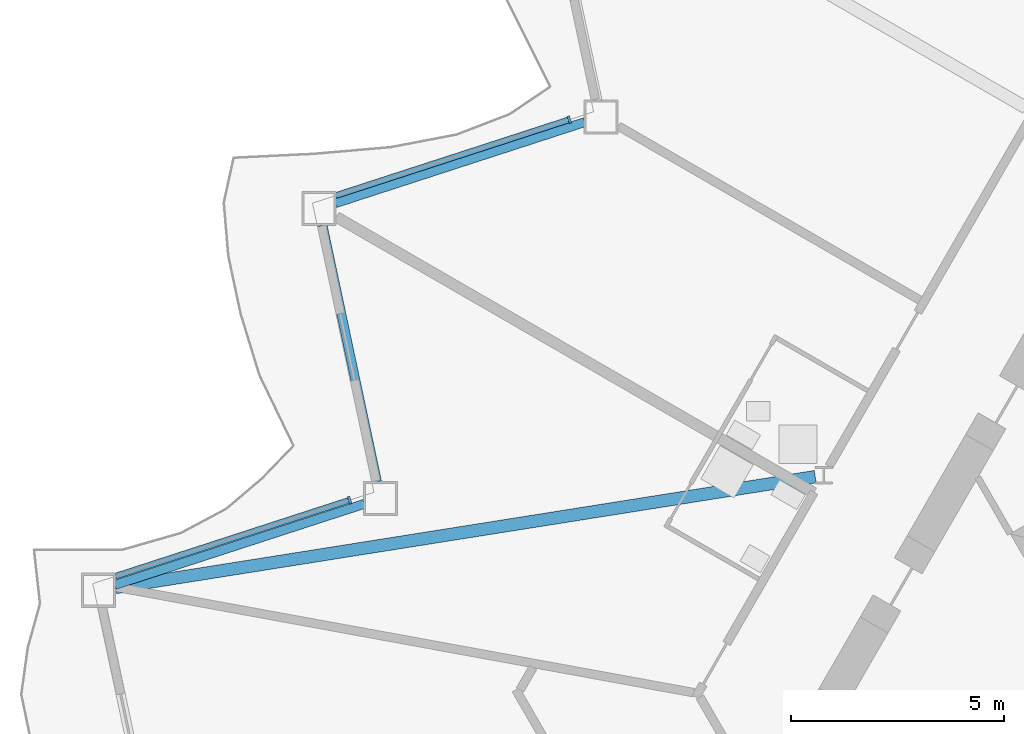
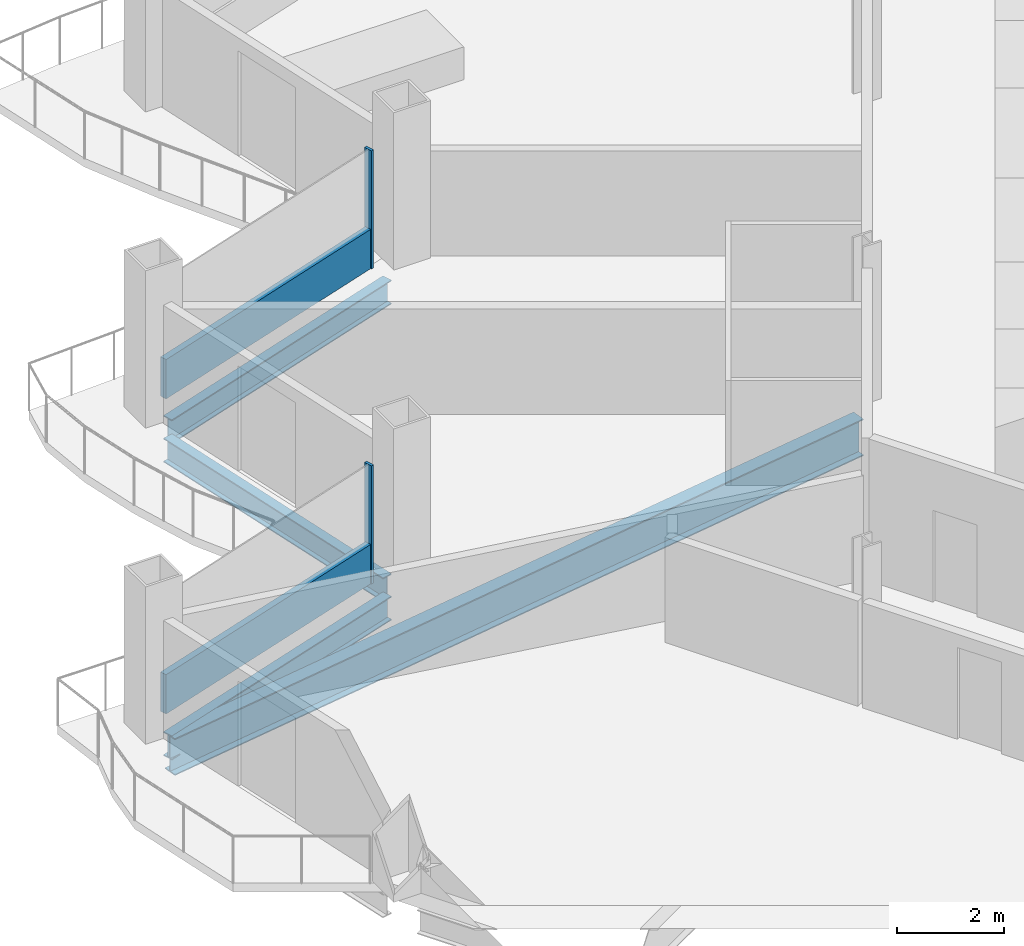
# One storey, part 5 of 24: 4 beams, 4 members, 2 elements without a shape of their own.
"""IFC4 building model written with IfcOpenShell, lengths in metres."""

from ifc_helpers import new_model, si_unit, direction, frame, origin, origin_2d, place, context, subcontext, project, spatial, rectangle, i_section, extrude, material, layer, layer_set, material_profile, profile_set, type_object, element, aggregate, save


model = new_model("IFC4")

# Units and contexts
model_context = context("Model", 3, precision=1e-05, world=origin(), true_north=direction((0.0, 1.0)))
body_context = subcontext(model_context, "Body", "Model", "MODEL_VIEW")
ifc_project = project(units=[si_unit("LENGTHUNIT", "METRE"), si_unit("AREAUNIT", "SQUARE_METRE"), si_unit("VOLUMEUNIT", "CUBIC_METRE"), si_unit("PLANEANGLEUNIT", "RADIAN"), si_unit("MASSUNIT", "GRAM", prefix="KILO")], contexts=[model_context])

# Site, building, storey
site_placement = place(None, origin())
site = spatial("IfcSite", under=ifc_project, at=site_placement, CompositionType="ELEMENT")
building_placement = place(site_placement, origin())
building = spatial("IfcBuilding", under=site, at=building_placement, Name="Cormorant Prow Tower", CompositionType="ELEMENT")
storey_placement = place(building_placement, frame((0.0, 0.0, 205.199951171875)))
storey = spatial("IfcBuildingStorey", under=building, at=storey_placement, Name="L45", CompositionType="ELEMENT", Elevation=205.199951171875)

# Curtain wall, member
ifc_material_1 = material(Name="Aluminium 6063-T6", Category="aluminium")
ifc_layer = layer(ifc_material_1, 0.179931640625)
ifc_layer_set = layer_set([ifc_layer], Name="Aluminium 6063-T6")
curtain_wall_type = type_object("IfcCurtainWallType", Name="Hotel unitised curtain wall 180", PredefinedType="NOTDEFINED", material=ifc_layer_set)
curtain_wall_1_placement = place(storey_placement, origin())
curtain_wall_1 = element("IfcCurtainWall", 1, at=curtain_wall_1_placement, inside=storey, type_object=curtain_wall_type, Name="Hotel curtain wall WNW06", PredefinedType="NOTDEFINED")
ifc_material_2 = material(Name="Aluminium 6063-T6", Category="aluminium")
ifc_material_profile_1 = material_profile(ifc_material_2, rectangle(XDim=0.179931640625, YDim=0.06005859375, at=origin_2d()), Name="Hotel mullion 60x180")
ifc_profile_set_1 = profile_set([ifc_material_profile_1], Name="Aluminium 6063-T6")
member_type_1 = type_object("IfcMemberType", Name="Hotel mullion 60x180", PredefinedType="MULLION", material=ifc_profile_set_1)
member_1_placement = place(storey_placement, frame((-20.705810546875, 5.496826171875, 0.0), z_axis=(0.0, 0.0, 1.0), x_axis=(0.309017032354, -0.951056503955, 0.0)))
member_1 = element("IfcMember", 2, at=member_1_placement, type_object=member_type_1, Name="Hotel mullion WNW06", PredefinedType="MULLION", context=body_context, shape_type="SweptSolid", body=[
    extrude(rectangle(XDim=0.179931640625, YDim=0.06005859375, at=origin_2d()), origin(), (0.0, 0.0, 1.0), 2.700927734375),
])

curtain_wall_2_placement = place(storey_placement, origin())
curtain_wall_2 = element("IfcCurtainWall", 3, at=curtain_wall_2_placement, inside=storey, type_object=curtain_wall_type, Name="Hotel curtain wall WNW08", PredefinedType="NOTDEFINED")
member_2_placement = place(storey_placement, frame((-25.853759765625, -3.419677734375, 0.0), z_axis=(0.0, 0.0, 1.0), x_axis=(0.309016944213, -0.951056532594, 0.0)))
member_2 = element("IfcMember", 4, at=member_2_placement, type_object=member_type_1, Name="Hotel mullion WNW08", PredefinedType="MULLION", context=body_context, shape_type="SweptSolid", body=[
    extrude(rectangle(XDim=0.179931640625, YDim=0.06005859375, at=origin_2d()), origin(), (0.0, 0.0, 1.0), 2.700927734375),
])

# Member
ifc_material_3 = material(Name="Terracotta", Category="masonry")
ifc_material_profile_2 = material_profile(ifc_material_3, rectangle(XDim=0.139892578125, YDim=0.89990234375, at=origin_2d()), Name="Hotel terracotta spandrel rail 140x900")
ifc_profile_set_2 = profile_set([ifc_material_profile_2], Name="Terracotta")
member_type_2 = type_object("IfcMemberType", Name="Hotel terracotta spandrel rail 140x900", PredefinedType="USERDEFINED", material=ifc_profile_set_2)
member_3_placement = place(storey_placement, frame((-20.734375, 5.487548828125, 0.449951171875), z_axis=(-0.951058483557, -0.309010939699, 0.0), x_axis=(0.309010939699, -0.951058483557, 0.0)))
member_3 = element("IfcMember", 5, at=member_3_placement, type_object=member_type_2, Name="Hotel spandrel rail WNW06", ObjectType="TRANSOM", PredefinedType="USERDEFINED", context=body_context, shape_type="SweptSolid", body=[
    extrude(rectangle(XDim=0.139892578125, YDim=0.89990234375, at=origin_2d()), origin(), (0.0, 0.0, 1.0), 5.731201171875),
])

aggregate(curtain_wall_1, [member_1, member_3])

member_4_placement = place(storey_placement, frame((-25.88232421875, -3.428955078125, 0.449951171875), z_axis=(-0.951050032086, -0.309036950006, 0.0), x_axis=(0.309036950006, -0.951050032086, 0.0)))
member_4 = element("IfcMember", 6, at=member_4_placement, type_object=member_type_2, Name="Hotel spandrel rail WNW08", ObjectType="TRANSOM", PredefinedType="USERDEFINED", context=body_context, shape_type="SweptSolid", body=[
    extrude(rectangle(XDim=0.139892578125, YDim=0.89990234375, at=origin_2d()), origin(), (0.0, 0.0, 1.0), 5.7314453125),
])

aggregate(curtain_wall_2, [member_2, member_4])

# Beams
ifc_material_4 = material(Name="Structural steel ASTM A992 Gr 50", Category="steel")
ifc_material_profile_3 = material_profile(ifc_material_4, i_section(OverallWidth=0.29296875, OverallDepth=0.845703125, WebThickness=0.015380859375, FlangeThickness=0.0244140625, at=origin_2d()), Name="W33x141")
ifc_profile_set_3 = profile_set([ifc_material_profile_3], Name="Structural steel ASTM A992 Gr 50")
beam_type_1 = type_object("IfcBeamType", Name="Radial floor beam W33x141", PredefinedType="BEAM", material=ifc_profile_set_3)
beam_1_placement = place(storey_placement, frame((-14.94384765625, -2.869140625, -0.77294921875), z_axis=(-0.987678058302, -0.156499371084, 0.0), x_axis=(0.156499371084, -0.987678058302, 0.0)))
element("IfcBeam", 7, at=beam_1_placement, inside=storey, type_object=beam_type_1, Name="Radial floor beam FB2 4 L45", PredefinedType="BEAM", context=body_context, shape_type="SweptSolid", body=[
    extrude(i_section(OverallWidth=0.29296875, OverallDepth=0.845703125, WebThickness=0.015380859375, FlangeThickness=0.0244140625, at=origin_2d()), origin(), (0.0, 0.0, 1.0), 16.604736328125),
])
ifc_material_5 = material(Name="Structural steel ASTM A992 Gr 50", Category="steel")
ifc_material_profile_4 = material_profile(ifc_material_5, i_section(OverallWidth=0.2138671875, OverallDepth=0.549072265625, WebThickness=0.0146484375, FlangeThickness=0.023681640625, at=origin_2d()), Name="W21x93")
ifc_profile_set_4 = profile_set([ifc_material_profile_4], Name="Structural steel ASTM A992 Gr 50")
beam_type_2 = type_object("IfcBeamType", Name="Spandrel beam W21x93", PredefinedType="SPANDREL", material=ifc_profile_set_4)
beam_2_placement = place(storey_placement, frame((-20.344970703125, 5.439208984375, -0.62451171875), z_axis=(-0.951057696564, -0.309013361859, 0.0), x_axis=(0.309013361859, -0.951057696564, 0.0)))
element("IfcBeam", 8, at=beam_2_placement, inside=storey, type_object=beam_type_2, Name="Spandrel beam SB2 WNW06-WNW07 L45", PredefinedType="SPANDREL", context=body_context, shape_type="SweptSolid", body=[
    extrude(i_section(OverallWidth=0.2138671875, OverallDepth=0.549072265625, WebThickness=0.0146484375, FlangeThickness=0.023681640625, at=origin_2d()), origin(), (0.0, 0.0, 1.0), 6.14990234375),
])
beam_3_placement = place(storey_placement, frame((-26.490966796875, 3.02392578125, -0.62451171875), z_axis=(0.207904811195, -0.978149063018, 0.0), x_axis=(0.978149063018, 0.207904811195, 0.0)))
element("IfcBeam", 9, at=beam_3_placement, inside=storey, type_object=beam_type_2, Name="Spandrel beam SB2 WNW07-WNW08 L45", PredefinedType="SPANDREL", context=body_context, shape_type="SweptSolid", body=[
    extrude(i_section(OverallWidth=0.2138671875, OverallDepth=0.549072265625, WebThickness=0.0146484375, FlangeThickness=0.023681640625, at=origin_2d()), origin(), (0.0, 0.0, 1.0), 6.149658203125),
])
beam_4_placement = place(storey_placement, frame((-25.509765625, -3.50634765625, -0.62451171875), z_axis=(-0.951057696564, -0.309013361859, 0.0), x_axis=(0.309013361859, -0.951057696564, 0.0)))
element("IfcBeam", 10, at=beam_4_placement, inside=storey, type_object=beam_type_2, Name="Spandrel beam SB2 WNW08-WNW09 L45", PredefinedType="SPANDREL", context=body_context, shape_type="SweptSolid", body=[
    extrude(i_section(OverallWidth=0.2138671875, OverallDepth=0.549072265625, WebThickness=0.0146484375, FlangeThickness=0.023681640625, at=origin_2d()), origin(), (0.0, 0.0, 1.0), 6.14990234375),
])

save(model, "model.ifc")
